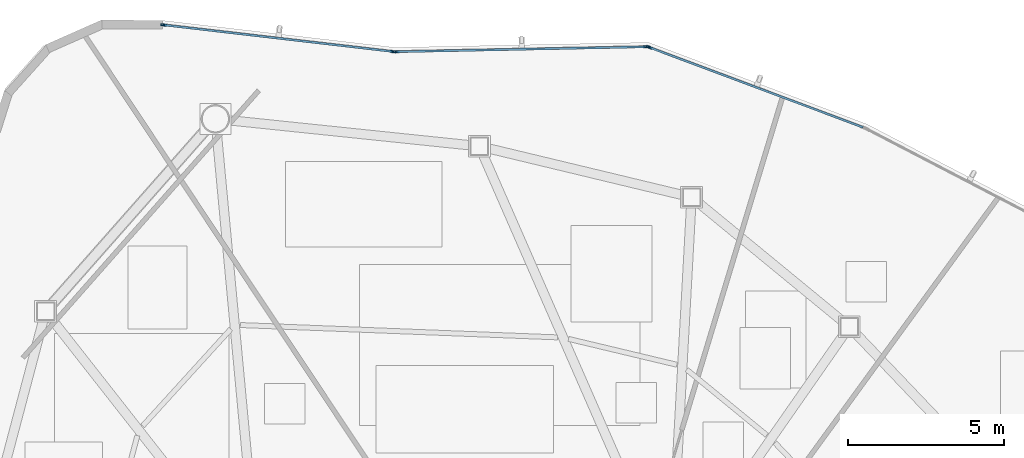
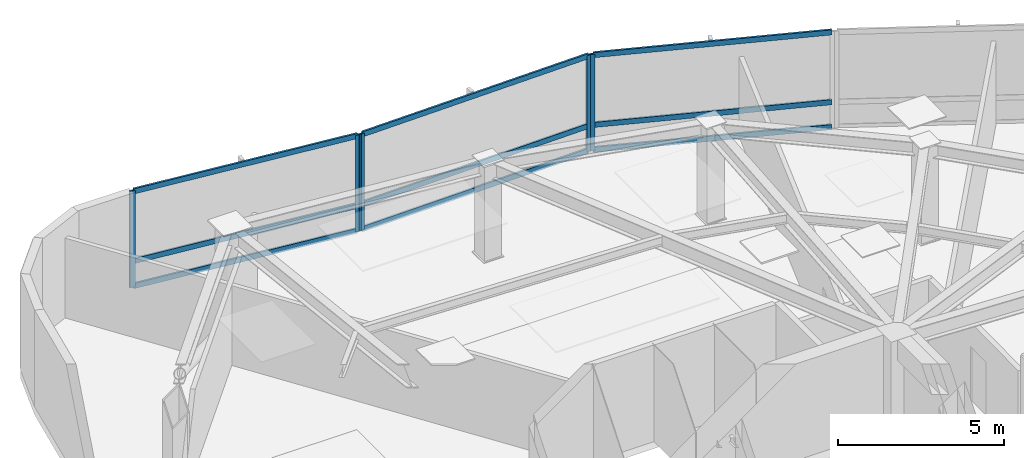
# One storey, part 8 of 17: 14 members, 3 elements without a shape of their own.
"""IFC4 building model written with IfcOpenShell, lengths in metres."""

from ifc_helpers import new_model, si_unit, direction, frame, origin, origin_2d, place, context, subcontext, project, spatial, hollow_rectangle, extrude, source, transform, mapped, material, layer, layer_set, material_profile, profile_set, type_object, type_shapes, element, aggregate, save


model = new_model("IFC4")

# Units and contexts
model_context = context("Model", 3, precision=1e-05, world=origin(), true_north=direction((0.0, 1.0)))
body_context = subcontext(model_context, "Body", "Model", "MODEL_VIEW")
ifc_project = project(units=[si_unit("LENGTHUNIT", "METRE"), si_unit("AREAUNIT", "SQUARE_METRE"), si_unit("VOLUMEUNIT", "CUBIC_METRE"), si_unit("PLANEANGLEUNIT", "RADIAN"), si_unit("MASSUNIT", "GRAM", prefix="KILO")], contexts=[model_context])

# Site, building, storey
site_placement = place(None, origin())
site = spatial("IfcSite", under=ifc_project, at=site_placement, CompositionType="ELEMENT")
building_placement = place(site_placement, origin())
building = spatial("IfcBuilding", under=site, at=building_placement, Name="Tavelor Broadcast Tower", CompositionType="ELEMENT")
storey_placement = place(building_placement, frame((0.0, 0.0, 184.89990234375)))
storey = spatial("IfcBuildingStorey", under=building, at=storey_placement, Name="L44", CompositionType="ELEMENT", Elevation=184.89990234375)

# Curtain wall, member
ifc_material = material(Name="Architectural Anodized Aluminium", Category="aluminium")
ifc_layer = layer(ifc_material, 0.18994140625)
ifc_layer_set = layer_set([ifc_layer], Name="Architectural Anodized Aluminium")
curtain_wall_type = type_object("IfcCurtainWallType", Name="Tower Mid-Zone Acoustic Curtain Wall CW03", PredefinedType="NOTDEFINED", material=ifc_layer_set)
curtain_wall_1_placement = place(storey_placement, origin())
curtain_wall_1 = element("IfcCurtainWall", 1, at=curtain_wall_1_placement, inside=storey, type_object=curtain_wall_type, Name="L44 Curtain Wall CW03 Run 478", PredefinedType="NOTDEFINED")
ifc_material_profile_1 = material_profile(ifc_material, hollow_rectangle(XDim=0.068115234375, YDim=0.18994140625, WallThickness=0.02197265625, at=origin_2d()), Name="RHS 68x190x22")
ifc_profile_set_1 = profile_set([ifc_material_profile_1], Name="Architectural Anodized Aluminium")
member_type_1 = type_object("IfcMemberType", Name="CW03 Extruded Aluminium Mullion 68x190", PredefinedType="MULLION", material=ifc_profile_set_1)
shared_shape_1 = source(origin(), body_context, "Body", "SweptSolid", [
    extrude(hollow_rectangle(XDim=0.068115234375, YDim=0.18994140625, WallThickness=0.02197265625, at=origin_2d()), origin(), (0.0, 0.0, 1.0), 3.550048828125),
])
type_shapes(member_type_1, [shared_shape_1])
member_1_placement = place(storey_placement, frame((55.917724609375, 68.373779296875, 0.0), z_axis=(0.0, 0.0, 1.0), x_axis=(-0.350608091996, -0.936522271933, 0.0)))
member_1 = element("IfcMember", 2, at=member_1_placement, type_object=member_type_1, Name="CW03 mullion 2", PredefinedType="MULLION", context=body_context, shape_type="MappedRepresentation", body=[
    mapped(shared_shape_1, transform((0.0, 0.0, 0.0), scale=1.0)),
])

# Curtain wall, members
curtain_wall_2_placement = place(storey_placement, origin())
curtain_wall_2 = element("IfcCurtainWall", 3, at=curtain_wall_2_placement, inside=storey, type_object=curtain_wall_type, Name="L44 Curtain Wall CW03 Run 479", PredefinedType="NOTDEFINED")
member_2_placement = place(storey_placement, frame((55.822998046875, 68.39013671875, 0.0), z_axis=(0.0, 0.0, 1.0), x_axis=(0.019810092816, -0.999803760856, 0.0)))
member_2 = element("IfcMember", 4, at=member_2_placement, type_object=member_type_1, Name="CW03 mullion 1", PredefinedType="MULLION", context=body_context, shape_type="MappedRepresentation", body=[
    mapped(shared_shape_1, transform((0.0, 0.0, 0.0), scale=1.0)),
])
member_3_placement = place(storey_placement, frame((47.8056640625, 68.231201171875, 0.0), z_axis=(0.0, 0.0, 1.0), x_axis=(0.019810092816, -0.999803760856, 0.0)))
member_3 = element("IfcMember", 5, at=member_3_placement, type_object=member_type_1, Name="CW03 mullion 2", PredefinedType="MULLION", context=body_context, shape_type="MappedRepresentation", body=[
    mapped(shared_shape_1, transform((0.0, 0.0, 0.0), scale=1.0)),
])

curtain_wall_3_placement = place(storey_placement, origin())
curtain_wall_3 = element("IfcCurtainWall", 6, at=curtain_wall_3_placement, inside=storey, type_object=curtain_wall_type, Name="L44 Curtain Wall CW03 Run 480", PredefinedType="NOTDEFINED")
member_4_placement = place(storey_placement, frame((47.7080078125, 68.23583984375, 0.0), z_axis=(0.0, 0.0, 1.0), x_axis=(-0.115352276189, -0.993324646014, 0.0)))
member_4 = element("IfcMember", 7, at=member_4_placement, type_object=member_type_1, Name="CW03 mullion 1", PredefinedType="MULLION", context=body_context, shape_type="MappedRepresentation", body=[
    mapped(shared_shape_1, transform((0.0, 0.0, 0.0), scale=1.0)),
])
member_5_placement = place(storey_placement, frame((40.35107421875, 69.09033203125, 0.0), z_axis=(0.0, 0.0, 1.0), x_axis=(-0.115352276189, -0.993324646014, 0.0)))
member_5 = element("IfcMember", 8, at=member_5_placement, type_object=member_type_1, Name="CW03 mullion 2", PredefinedType="MULLION", context=body_context, shape_type="MappedRepresentation", body=[
    mapped(shared_shape_1, transform((0.0, 0.0, 0.0), scale=1.0)),
])
ifc_material_profile_2 = material_profile(ifc_material, hollow_rectangle(XDim=0.068115234375, YDim=0.18994140625, WallThickness=0.02197265625, at=origin_2d()), Name="RHS 68x190x22")
ifc_profile_set_2 = profile_set([ifc_material_profile_2], Name="Architectural Anodized Aluminium")
member_type_2 = type_object("IfcMemberType", Name="CW03 Extruded Aluminium Transom 68x190", PredefinedType="USERDEFINED", material=ifc_profile_set_2)
shared_shape_2 = source(origin(), body_context, "Body", "SweptSolid", [
    extrude(hollow_rectangle(XDim=0.068115234375, YDim=0.18994140625, WallThickness=0.02197265625, at=origin_2d()), origin(), (0.0, 0.0, 1.0), 7.338623046875),
])
member_6_placement = place(storey_placement, frame((47.67431640625, 68.23974609375, 0.0341796875), z_axis=(-0.993322106803, 0.115374139808, 0.0), x_axis=(-0.115374139808, -0.993322106803, 0.0)))
member_6 = element("IfcMember", 9, at=member_6_placement, type_object=member_type_2, Name="CW03 transom 1.1", ObjectType="TRANSOM", PredefinedType="USERDEFINED", context=body_context, shape_type="MappedRepresentation", body=[
    mapped(shared_shape_2, transform((0.0, 0.0, 0.0), scale=1.0)),
])
member_7_placement = place(storey_placement, frame((47.67431640625, 68.23974609375, 0.9501953125), z_axis=(-0.993322106803, 0.115374139808, 0.0), x_axis=(-0.115374139808, -0.993322106803, 0.0)))
member_7 = element("IfcMember", 10, at=member_7_placement, type_object=member_type_2, Name="CW03 transom 1.2", ObjectType="TRANSOM", PredefinedType="USERDEFINED", context=body_context, shape_type="MappedRepresentation", body=[
    mapped(shared_shape_2, transform((0.0, 0.0, 0.0), scale=1.0)),
])
member_8_placement = place(storey_placement, frame((47.67431640625, 68.23974609375, 3.51611328125), z_axis=(-0.993322106803, 0.115374139808, 0.0), x_axis=(-0.115374139808, -0.993322106803, 0.0)))
member_8 = element("IfcMember", 11, at=member_8_placement, type_object=member_type_2, Name="CW03 transom 1.3", ObjectType="TRANSOM", PredefinedType="USERDEFINED", context=body_context, shape_type="MappedRepresentation", body=[
    mapped(shared_shape_2, transform((0.0, 0.0, 0.0), scale=1.0)),
])
aggregate(curtain_wall_3, [member_4, member_5, member_6, member_7, member_8])

# Member
shared_shape_3 = source(origin(), body_context, "Body", "SweptSolid", [
    extrude(hollow_rectangle(XDim=0.068115234375, YDim=0.18994140625, WallThickness=0.02197265625, at=origin_2d()), origin(), (0.0, 0.0, 1.0), 7.286376953125),
])
member_9_placement = place(storey_placement, frame((62.7734375, 65.80712890625, 0.0341796875), z_axis=(-0.93652318501, 0.350605653034, 0.0), x_axis=(-0.350605653034, -0.93652318501, 0.0)))
member_9 = element("IfcMember", 12, at=member_9_placement, type_object=member_type_2, Name="CW03 transom 1.1", ObjectType="TRANSOM", PredefinedType="USERDEFINED", context=body_context, shape_type="MappedRepresentation", body=[
    mapped(shared_shape_3, transform((0.0, 0.0, 0.0), scale=1.0)),
])

member_10_placement = place(storey_placement, frame((62.7734375, 65.80712890625, 0.9501953125), z_axis=(-0.93652318501, 0.350605653034, 0.0), x_axis=(-0.350605653034, -0.93652318501, 0.0)))
member_10 = element("IfcMember", 13, at=member_10_placement, type_object=member_type_2, Name="CW03 transom 1.2", ObjectType="TRANSOM", PredefinedType="USERDEFINED", context=body_context, shape_type="MappedRepresentation", body=[
    mapped(shared_shape_3, transform((0.0, 0.0, 0.0), scale=1.0)),
])

member_11_placement = place(storey_placement, frame((62.7734375, 65.80712890625, 3.51611328125), z_axis=(-0.93652318501, 0.350605653034, 0.0), x_axis=(-0.350605653034, -0.93652318501, 0.0)))
member_11 = element("IfcMember", 14, at=member_11_placement, type_object=member_type_2, Name="CW03 transom 1.3", ObjectType="TRANSOM", PredefinedType="USERDEFINED", context=body_context, shape_type="MappedRepresentation", body=[
    mapped(shared_shape_3, transform((0.0, 0.0, 0.0), scale=1.0)),
])

aggregate(curtain_wall_1, [member_1, member_9, member_10, member_11])

shared_shape_4 = source(origin(), body_context, "Body", "SweptSolid", [
    extrude(hollow_rectangle(XDim=0.068115234375, YDim=0.18994140625, WallThickness=0.02197265625, at=origin_2d()), origin(), (0.0, 0.0, 1.0), 7.95068359375),
])
type_shapes(member_type_2, [shared_shape_2, shared_shape_3, shared_shape_4])
member_12_placement = place(storey_placement, frame((55.788818359375, 68.389404296875, 0.0341796875), z_axis=(-0.999803847953, -0.019805696619, 0.0), x_axis=(0.019805696619, -0.999803847953, 0.0)))
member_12 = element("IfcMember", 15, at=member_12_placement, type_object=member_type_2, Name="CW03 transom 1.1", ObjectType="TRANSOM", PredefinedType="USERDEFINED", context=body_context, shape_type="MappedRepresentation", body=[
    mapped(shared_shape_4, transform((0.0, 0.0, 0.0), scale=1.0)),
])

member_13_placement = place(storey_placement, frame((55.788818359375, 68.389404296875, 0.9501953125), z_axis=(-0.999803847953, -0.019805696619, 0.0), x_axis=(0.019805696619, -0.999803847953, 0.0)))
member_13 = element("IfcMember", 16, at=member_13_placement, type_object=member_type_2, Name="CW03 transom 1.2", ObjectType="TRANSOM", PredefinedType="USERDEFINED", context=body_context, shape_type="MappedRepresentation", body=[
    mapped(shared_shape_4, transform((0.0, 0.0, 0.0), scale=1.0)),
])

member_14_placement = place(storey_placement, frame((55.788818359375, 68.389404296875, 3.51611328125), z_axis=(-0.999803847953, -0.019805696619, 0.0), x_axis=(0.019805696619, -0.999803847953, 0.0)))
member_14 = element("IfcMember", 17, at=member_14_placement, type_object=member_type_2, Name="CW03 transom 1.3", ObjectType="TRANSOM", PredefinedType="USERDEFINED", context=body_context, shape_type="MappedRepresentation", body=[
    mapped(shared_shape_4, transform((0.0, 0.0, 0.0), scale=1.0)),
])

aggregate(curtain_wall_2, [member_2, member_3, member_12, member_13, member_14])

save(model, "model.ifc")
